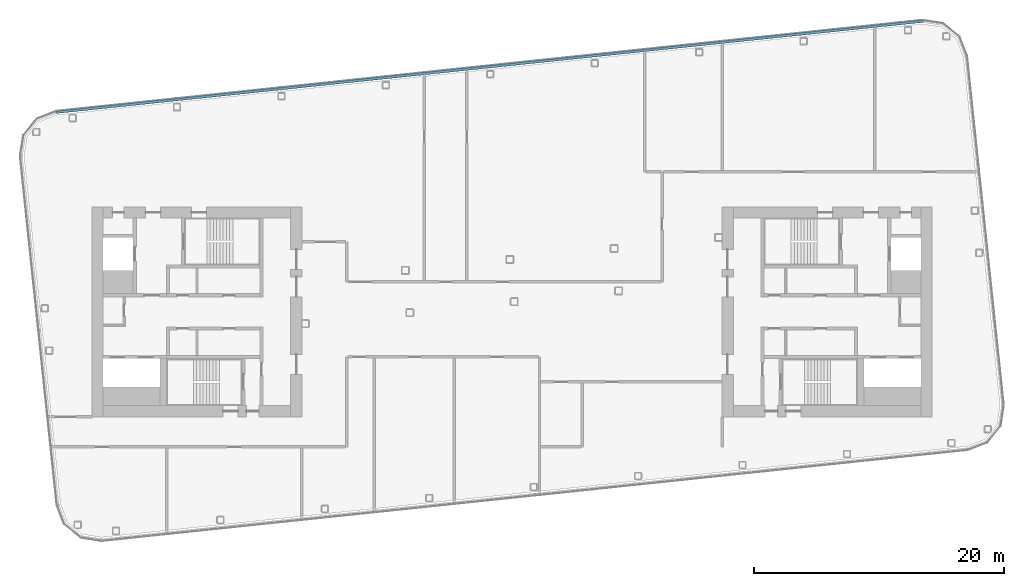
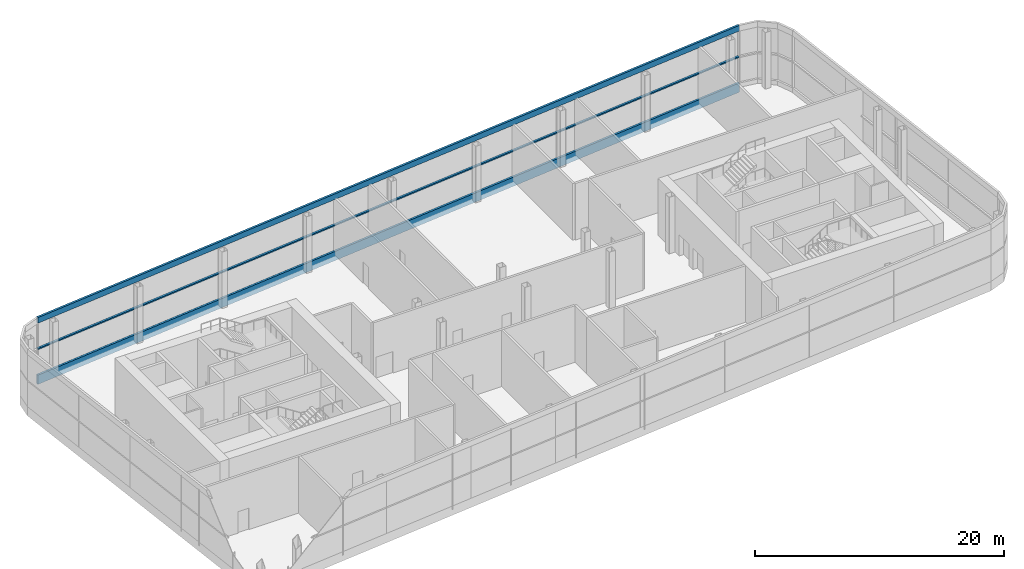
# One storey, part 10 of 35: 3 members, 1 element without a shape of its own.
"""IFC4 building model written with IfcOpenShell, lengths in metres."""

import ifcopenshell
import ifcopenshell.guid

model = None  # the IFC model being written
_history = None  # IfcOwnerHistory: only IFC2X3 demands one
_inside = {}  # id of a spatial element -> (the spatial element, [elements in it])
_under = {}  # id of a project, library or spatial element -> (it, [spatial elements below it])
_declared = {}  # id of a project -> (the project, [libraries it declares])
_typed = {}  # id of a type object -> (the type object, [elements of that type])
_made_of = {}  # id of a material, layer set ... -> (it, [elements and type objects made of it])


def new_model(schema):
    """Start an empty IFC model of exactly this schema.

    Asked for "IFC4X3", IfcOpenShell would pick the latest addendum, in which some entities
    have other attributes; the version numbers below select the first issue.
    IFC2X3 requires an IfcOwnerHistory on every rooted entity: one is made here for all.
    """
    global model, _history
    if schema == "IFC4X3":
        model = ifcopenshell.file(schema_version=(4, 3, 0, 0))
    else:
        model = ifcopenshell.file(schema=schema)
    _inside.clear()
    _under.clear()
    _declared.clear()
    _typed.clear()
    _made_of.clear()
    _history = None
    if model.schema == "IFC2X3":
        org = make("IfcOrganization", Name="unknown")
        user = make(
            "IfcPersonAndOrganization",
            ThePerson=make("IfcPerson", FamilyName="unknown"),
            TheOrganization=org,
        )
        app = make(
            "IfcApplication",
            ApplicationDeveloper=org,
            Version="unknown",
            ApplicationFullName="unknown",
            ApplicationIdentifier="unknown",
        )
        _history = make(
            "IfcOwnerHistory",
            OwningUser=user,
            OwningApplication=app,
            ChangeAction="ADDED",
            CreationDate=0,
        )
    return model


def make(cls, **values):
    """One entity of the class cls with the attributes given. An attribute that is None is left unset."""
    return model.create_entity(
        cls, **{name: value for name, value in values.items() if value is not None}
    )


def rooted(cls, **values):
    """An entity with a GlobalId (a new one), such as an element, a storey or a relation."""
    return make(cls, GlobalId=ifcopenshell.guid.new(), OwnerHistory=_history, **values)


def si_unit(unit_type, name, prefix=None):
    """IfcSIUnit, for example si_unit("LENGTHUNIT", "METRE", prefix="MILLI")."""
    return make("IfcSIUnit", UnitType=unit_type, Prefix=prefix, Name=name)


def assignment(units):
    """IfcUnitAssignment: the units of a project."""
    return None if units is None else make("IfcUnitAssignment", Units=units)


def point(xyz):
    """IfcCartesianPoint."""
    return None if xyz is None else make("IfcCartesianPoint", Coordinates=xyz)


def direction(xyz):
    """IfcDirection."""
    return None if xyz is None else make("IfcDirection", DirectionRatios=xyz)


def frame(location, z_axis=None, x_axis=None):
    """IfcAxis2Placement3D, a coordinate frame: its origin and axes. An axis left out is left unset."""
    return make(
        "IfcAxis2Placement3D",
        Location=point(location),
        Axis=direction(z_axis),
        RefDirection=direction(x_axis),
    )


def frame_2d(location, x_axis=None):
    """IfcAxis2Placement2D, a coordinate frame in the plane: its origin and x axis."""
    return make(
        "IfcAxis2Placement2D", Location=point(location), RefDirection=direction(x_axis)
    )


def origin():
    """The frame at (0, 0, 0) with its axes left unset."""
    return frame((0.0, 0.0, 0.0))


def origin_2d():
    """The frame at (0, 0) in the plane with its x axis left unset."""
    return frame_2d((0.0, 0.0))


def place(relative_to, where):
    """IfcLocalPlacement: puts the frame where relative to a parent placement (None: the world)."""
    return make(
        "IfcLocalPlacement", PlacementRelTo=relative_to, RelativePlacement=where
    )


def context(
    kind, dimensions, precision=None, world=None, true_north=None, identifier=None
):
    """IfcGeometricRepresentationContext, for example the 3D "Model" context."""
    return make(
        "IfcGeometricRepresentationContext",
        ContextIdentifier=identifier,
        ContextType=kind,
        CoordinateSpaceDimension=dimensions,
        Precision=precision,
        WorldCoordinateSystem=world,
        TrueNorth=true_north,
    )


def subcontext(parent, identifier, kind, view, scale=None):
    """IfcGeometricRepresentationSubContext, for example "Body" below "Model"."""
    return make(
        "IfcGeometricRepresentationSubContext",
        ContextIdentifier=identifier,
        ContextType=kind,
        ParentContext=parent,
        TargetScale=scale,
        TargetView=view,
    )


def project(units=None, contexts=None):
    """IfcProject with its units and contexts."""
    return rooted(
        "IfcProject",
        Name="project",
        RepresentationContexts=contexts,
        UnitsInContext=assignment(units),
    )


def spatial(cls, under=None, at=None, **own):
    """A site, building, storey or space (cls), placed at a placement, below another one or the project."""
    s = rooted(cls, ObjectPlacement=at, **own)
    if under is not None:
        _under.setdefault(under.id(), (under, []))[1].append(s)
    return s


def profile(cls, at=None, kind="AREA", **sizes):
    """A parametric profile (cls). Its sizes go by their IFC names, for example OverallWidth=200.0."""
    return make(cls, ProfileType=kind, Position=at, **sizes)


def rectangle(**sizes):
    """IfcRectangleProfileDef."""
    return profile("IfcRectangleProfileDef", **sizes)


def extrude(swept, where, along, depth):
    """IfcExtrudedAreaSolid: the profile swept, set in the frame where, extruded along a direction by depth."""
    return make(
        "IfcExtrudedAreaSolid",
        SweptArea=swept,
        Position=where,
        ExtrudedDirection=direction(along),
        Depth=depth,
    )


def shape(context_of_items, identifier, shape_type, items):
    """IfcShapeRepresentation: the items that make up one representation, for example the "Body"."""
    return make(
        "IfcShapeRepresentation",
        ContextOfItems=context_of_items,
        RepresentationIdentifier=identifier,
        RepresentationType=shape_type,
        Items=items,
    )


def material(Name=None, Category=None):
    """IfcMaterial."""
    return make("IfcMaterial", Name=Name, Category=Category)


def layer(
    of_material, thickness, ventilated=None, Name=None, Category=None, Priority=None
):
    """IfcMaterialLayer: one layer of a wall or slab, of a material (None: an air gap)."""
    return make(
        "IfcMaterialLayer",
        Material=of_material,
        LayerThickness=thickness,
        IsVentilated=ventilated,
        Name=Name,
        Category=Category,
        Priority=Priority,
    )


def layer_set(layers, Name=None):
    """IfcMaterialLayerSet."""
    return make("IfcMaterialLayerSet", MaterialLayers=layers, LayerSetName=Name)


def material_profile(
    of_material, cross_section, Name=None, Category=None, Priority=None
):
    """IfcMaterialProfile: a cross section and its material."""
    return make(
        "IfcMaterialProfile",
        Name=Name,
        Material=of_material,
        Profile=cross_section,
        Priority=Priority,
        Category=Category,
    )


def profile_set(profiles, Name=None, composite=None):
    """IfcMaterialProfileSet."""
    return make(
        "IfcMaterialProfileSet",
        Name=Name,
        MaterialProfiles=profiles,
        CompositeProfile=composite,
    )


def made_of(thing, what):
    """Note that an element or type object is made of a material, layer set ...; save() writes the relation."""
    if what is not None:
        _made_of.setdefault(what.id(), (what, []))[1].append(thing)
    return thing


def type_object(cls, material=None, **own):
    """A type object (cls), such as IfcWallType, which elements share."""
    return made_of(rooted(cls, **own), material)


def element(
    cls,
    number,
    at=None,
    inside=None,
    cuts=None,
    type_object=None,
    material=None,
    context=None,
    identifier="Body",
    shape_type=None,
    held_by="IfcProductDefinitionShape",
    body=None,
    shapes=None,
    **own,
):
    """One element of the class cls, such as IfcWall. Its Tag is "e" and its number.

    at: its placement. inside: the storey or other place that contains it. cuts: it is an
    opening in that element (IfcRelVoidsElement). A single representation is given by context,
    identifier, shape_type and body (its items); several are given by shapes. held_by: the class
    of the entity that holds the representations. save() writes the other relations.
    """
    e = rooted(cls, Tag="e%d" % number, ObjectPlacement=at, **own)
    if body is not None:
        shapes = [shape(context, identifier, shape_type, body)]
    if shapes is not None:
        e.Representation = make(held_by, Representations=shapes)
    if inside is not None:
        _inside.setdefault(inside.id(), (inside, []))[1].append(e)
    if cuts is not None:
        rooted(
            "IfcRelVoidsElement", RelatingBuildingElement=cuts, RelatedOpeningElement=e
        )
    if type_object is not None:
        _typed.setdefault(type_object.id(), (type_object, []))[1].append(e)
    return made_of(e, material)


def aggregate(whole, parts):
    """IfcRelAggregates: a whole, such as a stair, and the parts it consists of."""
    return rooted("IfcRelAggregates", RelatingObject=whole, RelatedObjects=parts)


def save(model, path):
    """Write the relations noted so far, then the file.

    IfcRelAggregates (storeys below a building ...), IfcRelContainedInSpatialStructure (elements
    in a storey), IfcRelDefinesByType, IfcRelAssociatesMaterial and IfcRelDeclares: one each for
    every whole, place, type object, material and project.
    """
    for whole, parts in _under.values():
        aggregate(whole, parts)
    for where, things in _inside.values():
        rooted(
            "IfcRelContainedInSpatialStructure",
            RelatedElements=things,
            RelatingStructure=where,
        )
    for kind, things in _typed.values():
        rooted("IfcRelDefinesByType", RelatedObjects=things, RelatingType=kind)
    for what, things in _made_of.values():
        rooted("IfcRelAssociatesMaterial", RelatedObjects=things, RelatingMaterial=what)
    for by, libraries in _declared.values():
        rooted("IfcRelDeclares", RelatingContext=by, RelatedDefinitions=libraries)
    model.write(path)


model = new_model("IFC4")

# Units and contexts
model_context = context("Model", 3, precision=1e-05, world=origin(), true_north=direction((0.0, 1.0)))
body_context = subcontext(model_context, "Body", "Model", "MODEL_VIEW")
ifc_project = project(units=[si_unit("LENGTHUNIT", "METRE"), si_unit("AREAUNIT", "SQUARE_METRE"), si_unit("VOLUMEUNIT", "CUBIC_METRE"), si_unit("PLANEANGLEUNIT", "RADIAN"), si_unit("MASSUNIT", "GRAM", prefix="KILO")], contexts=[model_context])

# Site, building, storey
site_placement = place(None, origin())
site = spatial("IfcSite", under=ifc_project, at=site_placement, CompositionType="ELEMENT")
building_placement = place(site_placement, origin())
building = spatial("IfcBuilding", under=site, at=building_placement, Name="Hakoniwa Tower and Hamabe Station Hall", CompositionType="ELEMENT")
storey_placement = place(building_placement, frame((0.0, 0.0, 270.60009765625)))
storey = spatial("IfcBuildingStorey", under=building, at=storey_placement, Name="L76", CompositionType="ELEMENT", Elevation=270.60009765625)

# Curtain wall, members
ifc_material_1 = material(Name="Dark low-e laminated glass", Category="glass")
ifc_layer = layer(ifc_material_1, 0.199951171875)
ifc_layer_set = layer_set([ifc_layer], Name="CW-1 UNITISED GUEST")
curtain_wall_type = type_object("IfcCurtainWallType", Name="CW-1 UNITISED GUEST", PredefinedType="NOTDEFINED", material=ifc_layer_set)
curtain_wall_placement = place(storey_placement, origin())
curtain_wall = element("IfcCurtainWall", 1, at=curtain_wall_placement, inside=storey, type_object=curtain_wall_type, Name="CW-1 curtain wall", PredefinedType="NOTDEFINED")
ifc_material_2 = material(Name="Aluminium 6063-T5 black anodised", Category="aluminium")
ifc_material_profile_1 = material_profile(ifc_material_2, rectangle(XDim=0.199951171875, YDim=0.550048828125, at=origin_2d()), Name="CW HEAD BAND 550X200")
ifc_profile_set_1 = profile_set([ifc_material_profile_1], Name="Aluminium 6063-T5 black anodised")
member_type_1 = type_object("IfcMemberType", Name="CW HEAD BAND 550X200", PredefinedType="USERDEFINED", material=ifc_profile_set_1)
member_1_placement = place(storey_placement, frame((32.850830078125, 23.24755859375, 5.724853515625), z_axis=(-0.994521894037, -0.10452847593, 0.0), x_axis=(0.10452847593, -0.994521894037, 0.0)))
member_1 = element("IfcMember", 2, at=member_1_placement, type_object=member_type_1, Name="CW-1 transom", ObjectType="TRANSOM", PredefinedType="USERDEFINED", context=body_context, shape_type="SweptSolid", body=[
    extrude(rectangle(XDim=0.199951171875, YDim=0.550048828125, at=origin_2d()), origin(), (0.0, 0.0, 1.0), 69.678955078125),
])
ifc_material_3 = material(Name="Aluminium 6063-T5 black anodised", Category="aluminium")
ifc_material_profile_2 = material_profile(ifc_material_3, rectangle(XDim=0.199951171875, YDim=0.1201171875, at=origin_2d()), Name="CW MID TRANSOM 120X200")
ifc_profile_set_2 = profile_set([ifc_material_profile_2], Name="Aluminium 6063-T5 black anodised")
member_type_2 = type_object("IfcMemberType", Name="CW MID TRANSOM 120X200", PredefinedType="USERDEFINED", material=ifc_profile_set_2)
member_2_placement = place(storey_placement, frame((32.850830078125, 23.24755859375, 2.89990234375), z_axis=(-0.994521894037, -0.10452847593, 0.0), x_axis=(0.10452847593, -0.994521894037, 0.0)))
member_2 = element("IfcMember", 3, at=member_2_placement, type_object=member_type_2, Name="CW-1 transom", ObjectType="TRANSOM", PredefinedType="USERDEFINED", context=body_context, shape_type="SweptSolid", body=[
    extrude(rectangle(XDim=0.199951171875, YDim=0.1201171875, at=origin_2d()), origin(), (0.0, 0.0, 1.0), 69.678955078125),
])
ifc_material_4 = material(Name="Aluminium 6063-T5 black anodised", Category="aluminium")
ifc_material_profile_3 = material_profile(ifc_material_4, rectangle(XDim=0.199951171875, YDim=0.89990234375, at=origin_2d()), Name="CW SLAB-EDGE BAND 900X200")
ifc_profile_set_3 = profile_set([ifc_material_profile_3], Name="Aluminium 6063-T5 black anodised")
member_type_3 = type_object("IfcMemberType", Name="CW SLAB-EDGE BAND 900X200", PredefinedType="USERDEFINED", material=ifc_profile_set_3)
member_3_placement = place(storey_placement, frame((32.850830078125, 23.24755859375, -0.10009765625), z_axis=(-0.994521894037, -0.10452847593, 0.0), x_axis=(0.10452847593, -0.994521894037, 0.0)))
member_3 = element("IfcMember", 4, at=member_3_placement, type_object=member_type_3, Name="CW-1 transom", ObjectType="TRANSOM", PredefinedType="USERDEFINED", context=body_context, shape_type="SweptSolid", body=[
    extrude(rectangle(XDim=0.199951171875, YDim=0.89990234375, at=origin_2d()), origin(), (0.0, 0.0, 1.0), 69.678955078125),
])
aggregate(curtain_wall, [member_3, member_2, member_1])

save(model, "model.ifc")
